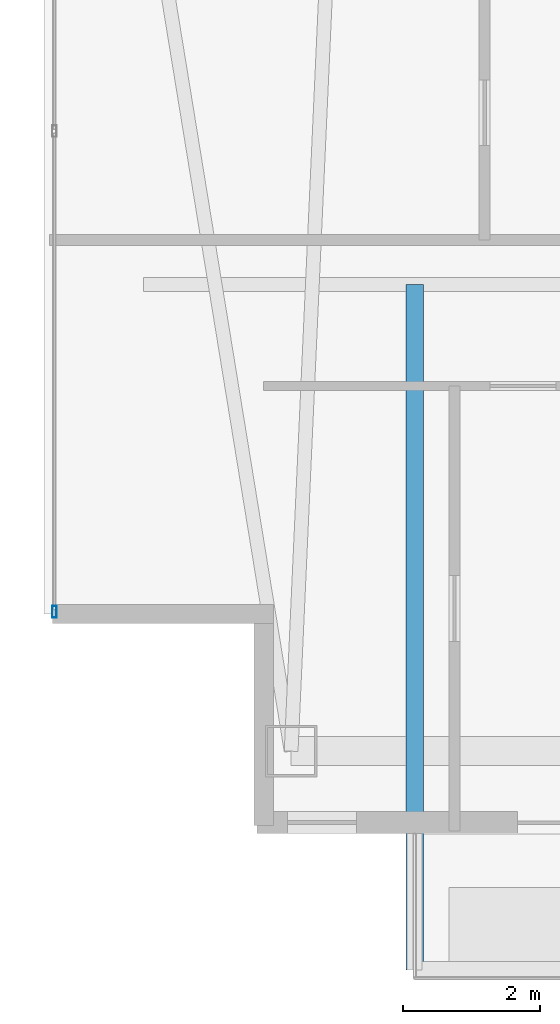
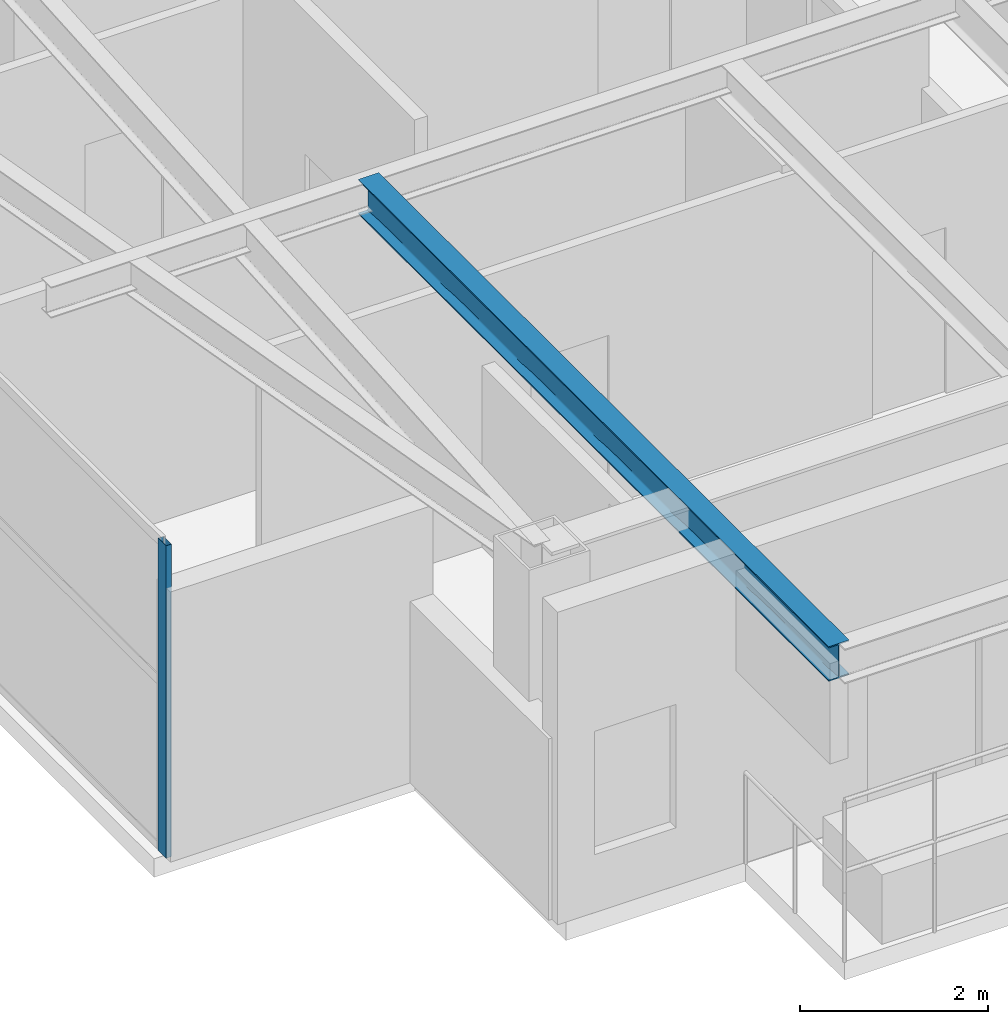
# One storey, part 2 of 29: 1 beam, 1 member, 1 element without a shape of its own.
"""IFC4 building model written with IfcOpenShell, lengths in metres."""

import ifcopenshell
import ifcopenshell.guid

model = None  # the IFC model being written
_history = None  # IfcOwnerHistory: only IFC2X3 demands one
_inside = {}  # id of a spatial element -> (the spatial element, [elements in it])
_under = {}  # id of a project, library or spatial element -> (it, [spatial elements below it])
_declared = {}  # id of a project -> (the project, [libraries it declares])
_typed = {}  # id of a type object -> (the type object, [elements of that type])
_made_of = {}  # id of a material, layer set ... -> (it, [elements and type objects made of it])


def new_model(schema):
    """Start an empty IFC model of exactly this schema.

    Asked for "IFC4X3", IfcOpenShell would pick the latest addendum, in which some entities
    have other attributes; the version numbers below select the first issue.
    IFC2X3 requires an IfcOwnerHistory on every rooted entity: one is made here for all.
    """
    global model, _history
    if schema == "IFC4X3":
        model = ifcopenshell.file(schema_version=(4, 3, 0, 0))
    else:
        model = ifcopenshell.file(schema=schema)
    _inside.clear()
    _under.clear()
    _declared.clear()
    _typed.clear()
    _made_of.clear()
    _history = None
    if model.schema == "IFC2X3":
        org = make("IfcOrganization", Name="unknown")
        user = make(
            "IfcPersonAndOrganization",
            ThePerson=make("IfcPerson", FamilyName="unknown"),
            TheOrganization=org,
        )
        app = make(
            "IfcApplication",
            ApplicationDeveloper=org,
            Version="unknown",
            ApplicationFullName="unknown",
            ApplicationIdentifier="unknown",
        )
        _history = make(
            "IfcOwnerHistory",
            OwningUser=user,
            OwningApplication=app,
            ChangeAction="ADDED",
            CreationDate=0,
        )
    return model


def make(cls, **values):
    """One entity of the class cls with the attributes given. An attribute that is None is left unset."""
    return model.create_entity(
        cls, **{name: value for name, value in values.items() if value is not None}
    )


def rooted(cls, **values):
    """An entity with a GlobalId (a new one), such as an element, a storey or a relation."""
    return make(cls, GlobalId=ifcopenshell.guid.new(), OwnerHistory=_history, **values)


def si_unit(unit_type, name, prefix=None):
    """IfcSIUnit, for example si_unit("LENGTHUNIT", "METRE", prefix="MILLI")."""
    return make("IfcSIUnit", UnitType=unit_type, Prefix=prefix, Name=name)


def assignment(units):
    """IfcUnitAssignment: the units of a project."""
    return None if units is None else make("IfcUnitAssignment", Units=units)


def point(xyz):
    """IfcCartesianPoint."""
    return None if xyz is None else make("IfcCartesianPoint", Coordinates=xyz)


def direction(xyz):
    """IfcDirection."""
    return None if xyz is None else make("IfcDirection", DirectionRatios=xyz)


def frame(location, z_axis=None, x_axis=None):
    """IfcAxis2Placement3D, a coordinate frame: its origin and axes. An axis left out is left unset."""
    return make(
        "IfcAxis2Placement3D",
        Location=point(location),
        Axis=direction(z_axis),
        RefDirection=direction(x_axis),
    )


def frame_2d(location, x_axis=None):
    """IfcAxis2Placement2D, a coordinate frame in the plane: its origin and x axis."""
    return make(
        "IfcAxis2Placement2D", Location=point(location), RefDirection=direction(x_axis)
    )


def origin():
    """The frame at (0, 0, 0) with its axes left unset."""
    return frame((0.0, 0.0, 0.0))


def origin_2d():
    """The frame at (0, 0) in the plane with its x axis left unset."""
    return frame_2d((0.0, 0.0))


def place(relative_to, where):
    """IfcLocalPlacement: puts the frame where relative to a parent placement (None: the world)."""
    return make(
        "IfcLocalPlacement", PlacementRelTo=relative_to, RelativePlacement=where
    )


def context(
    kind, dimensions, precision=None, world=None, true_north=None, identifier=None
):
    """IfcGeometricRepresentationContext, for example the 3D "Model" context."""
    return make(
        "IfcGeometricRepresentationContext",
        ContextIdentifier=identifier,
        ContextType=kind,
        CoordinateSpaceDimension=dimensions,
        Precision=precision,
        WorldCoordinateSystem=world,
        TrueNorth=true_north,
    )


def subcontext(parent, identifier, kind, view, scale=None):
    """IfcGeometricRepresentationSubContext, for example "Body" below "Model"."""
    return make(
        "IfcGeometricRepresentationSubContext",
        ContextIdentifier=identifier,
        ContextType=kind,
        ParentContext=parent,
        TargetScale=scale,
        TargetView=view,
    )


def project(units=None, contexts=None):
    """IfcProject with its units and contexts."""
    return rooted(
        "IfcProject",
        Name="project",
        RepresentationContexts=contexts,
        UnitsInContext=assignment(units),
    )


def spatial(cls, under=None, at=None, **own):
    """A site, building, storey or space (cls), placed at a placement, below another one or the project."""
    s = rooted(cls, ObjectPlacement=at, **own)
    if under is not None:
        _under.setdefault(under.id(), (under, []))[1].append(s)
    return s


def profile(cls, at=None, kind="AREA", **sizes):
    """A parametric profile (cls). Its sizes go by their IFC names, for example OverallWidth=200.0."""
    return make(cls, ProfileType=kind, Position=at, **sizes)


def hollow_rectangle(**sizes):
    """IfcRectangleHollowProfileDef."""
    return profile("IfcRectangleHollowProfileDef", **sizes)


def i_section(**sizes):
    """IfcIShapeProfileDef."""
    return profile("IfcIShapeProfileDef", **sizes)


def extrude(swept, where, along, depth):
    """IfcExtrudedAreaSolid: the profile swept, set in the frame where, extruded along a direction by depth."""
    return make(
        "IfcExtrudedAreaSolid",
        SweptArea=swept,
        Position=where,
        ExtrudedDirection=direction(along),
        Depth=depth,
    )


def shape(context_of_items, identifier, shape_type, items):
    """IfcShapeRepresentation: the items that make up one representation, for example the "Body"."""
    return make(
        "IfcShapeRepresentation",
        ContextOfItems=context_of_items,
        RepresentationIdentifier=identifier,
        RepresentationType=shape_type,
        Items=items,
    )


def material(Name=None, Category=None):
    """IfcMaterial."""
    return make("IfcMaterial", Name=Name, Category=Category)


def layer(
    of_material, thickness, ventilated=None, Name=None, Category=None, Priority=None
):
    """IfcMaterialLayer: one layer of a wall or slab, of a material (None: an air gap)."""
    return make(
        "IfcMaterialLayer",
        Material=of_material,
        LayerThickness=thickness,
        IsVentilated=ventilated,
        Name=Name,
        Category=Category,
        Priority=Priority,
    )


def layer_set(layers, Name=None):
    """IfcMaterialLayerSet."""
    return make("IfcMaterialLayerSet", MaterialLayers=layers, LayerSetName=Name)


def material_profile(
    of_material, cross_section, Name=None, Category=None, Priority=None
):
    """IfcMaterialProfile: a cross section and its material."""
    return make(
        "IfcMaterialProfile",
        Name=Name,
        Material=of_material,
        Profile=cross_section,
        Priority=Priority,
        Category=Category,
    )


def profile_set(profiles, Name=None, composite=None):
    """IfcMaterialProfileSet."""
    return make(
        "IfcMaterialProfileSet",
        Name=Name,
        MaterialProfiles=profiles,
        CompositeProfile=composite,
    )


def made_of(thing, what):
    """Note that an element or type object is made of a material, layer set ...; save() writes the relation."""
    if what is not None:
        _made_of.setdefault(what.id(), (what, []))[1].append(thing)
    return thing


def type_object(cls, material=None, **own):
    """A type object (cls), such as IfcWallType, which elements share."""
    return made_of(rooted(cls, **own), material)


def element(
    cls,
    number,
    at=None,
    inside=None,
    cuts=None,
    type_object=None,
    material=None,
    context=None,
    identifier="Body",
    shape_type=None,
    held_by="IfcProductDefinitionShape",
    body=None,
    shapes=None,
    **own,
):
    """One element of the class cls, such as IfcWall. Its Tag is "e" and its number.

    at: its placement. inside: the storey or other place that contains it. cuts: it is an
    opening in that element (IfcRelVoidsElement). A single representation is given by context,
    identifier, shape_type and body (its items); several are given by shapes. held_by: the class
    of the entity that holds the representations. save() writes the other relations.
    """
    e = rooted(cls, Tag="e%d" % number, ObjectPlacement=at, **own)
    if body is not None:
        shapes = [shape(context, identifier, shape_type, body)]
    if shapes is not None:
        e.Representation = make(held_by, Representations=shapes)
    if inside is not None:
        _inside.setdefault(inside.id(), (inside, []))[1].append(e)
    if cuts is not None:
        rooted(
            "IfcRelVoidsElement", RelatingBuildingElement=cuts, RelatedOpeningElement=e
        )
    if type_object is not None:
        _typed.setdefault(type_object.id(), (type_object, []))[1].append(e)
    return made_of(e, material)


def aggregate(whole, parts):
    """IfcRelAggregates: a whole, such as a stair, and the parts it consists of."""
    return rooted("IfcRelAggregates", RelatingObject=whole, RelatedObjects=parts)


def save(model, path):
    """Write the relations noted so far, then the file.

    IfcRelAggregates (storeys below a building ...), IfcRelContainedInSpatialStructure (elements
    in a storey), IfcRelDefinesByType, IfcRelAssociatesMaterial and IfcRelDeclares: one each for
    every whole, place, type object, material and project.
    """
    for whole, parts in _under.values():
        aggregate(whole, parts)
    for where, things in _inside.values():
        rooted(
            "IfcRelContainedInSpatialStructure",
            RelatedElements=things,
            RelatingStructure=where,
        )
    for kind, things in _typed.values():
        rooted("IfcRelDefinesByType", RelatedObjects=things, RelatingType=kind)
    for what, things in _made_of.values():
        rooted("IfcRelAssociatesMaterial", RelatedObjects=things, RelatingMaterial=what)
    for by, libraries in _declared.values():
        rooted("IfcRelDeclares", RelatingContext=by, RelatedDefinitions=libraries)
    model.write(path)


model = new_model("IFC4")

# Units and contexts
model_context = context("Model", 3, precision=1e-05, world=origin(), true_north=direction((0.0, 1.0)))
body_context = subcontext(model_context, "Body", "Model", "MODEL_VIEW")
ifc_project = project(units=[si_unit("LENGTHUNIT", "METRE"), si_unit("AREAUNIT", "SQUARE_METRE"), si_unit("VOLUMEUNIT", "CUBIC_METRE"), si_unit("PLANEANGLEUNIT", "RADIAN"), si_unit("MASSUNIT", "GRAM", prefix="KILO")], contexts=[model_context])

# Site, building, storey
site_placement = place(None, origin())
site = spatial("IfcSite", under=ifc_project, at=site_placement, CompositionType="ELEMENT")
building_placement = place(site_placement, origin())
building = spatial("IfcBuilding", under=site, at=building_placement, Name="Calvorn Quay Hotel", CompositionType="ELEMENT")
storey_placement = place(building_placement, frame((0.0, 0.0, 259.0)))
storey = spatial("IfcBuildingStorey", under=building, at=storey_placement, Name="L64", CompositionType="ELEMENT", Elevation=259.0)

# Beam
ifc_material_1 = material(Name="Steel Q355B", Category="steel")
ifc_material_profile_1 = material_profile(ifc_material_1, i_section(OverallWidth=0.25, OverallDepth=0.449951171875, WebThickness=0.011962890625, FlangeThickness=0.01611328125, FilletRadius=0.01611328125, at=origin_2d()), Name="HN450x250x12x16")
ifc_profile_set_1 = profile_set([ifc_material_profile_1], Name="Steel Q355B")
beam_type = type_object("IfcBeamType", Name="BM-CANT-BALC", PredefinedType="BEAM", material=ifc_profile_set_1)
beam_placement = place(storey_placement, frame((5.39990234375, 10.39990234375, 3.824951171875), z_axis=(0.0, -1.0, 0.0), x_axis=(1.0, 0.0, 0.0)))
element("IfcBeam", 1, at=beam_placement, inside=storey, type_object=beam_type, Name="Cantilever Balcony Beam BCB-L65-1A", PredefinedType="BEAM", context=body_context, shape_type="SweptSolid", body=[
    extrude(i_section(OverallWidth=0.25, OverallDepth=0.449951171875, WebThickness=0.011962890625, FlangeThickness=0.01611328125, FilletRadius=0.01611328125, at=origin_2d()), origin(), (0.0, 0.0, 1.0), 9.989990234375),
])

# Curtain wall, member
ifc_material_2 = material(Name="Champagne Bronze Anodised Aluminium and Low-E Glass", Category="aluminium")
ifc_layer = layer(ifc_material_2, 0.219970703125)
ifc_layer_set = layer_set([ifc_layer], Name="CW-SYS-Z4")
curtain_wall_type = type_object("IfcCurtainWallType", Name="CW-SYS-Z4", PredefinedType="NOTDEFINED", material=ifc_layer_set)
curtain_wall_placement = place(storey_placement, origin())
curtain_wall = element("IfcCurtainWall", 2, at=curtain_wall_placement, inside=storey, type_object=curtain_wall_type, Name="Tower West Curtain Wall (L64)", PredefinedType="NOTDEFINED")
ifc_material_3 = material(Name="Champagne Bronze Anodised Aluminium 6063-T6", Category="aluminium")
ifc_material_profile_2 = material_profile(ifc_material_3, hollow_rectangle(XDim=0.06494140625, YDim=0.169921875, WallThickness=0.00341796875, at=origin_2d()), Name="ALU-M170x65x3.5")
ifc_profile_set_2 = profile_set([ifc_material_profile_2], Name="Champagne Bronze Anodised Aluminium 6063-T6")
member_type = type_object("IfcMemberType", Name="CW-SYS-Z4-MUL", PredefinedType="MULLION", material=ifc_profile_set_2)
member_placement = place(storey_placement, frame((0.14990234375, 5.6298828125, 0.0), z_axis=(0.0, 0.0, 1.0), x_axis=(-1.0, 0.0, 0.0)))
member = element("IfcMember", 3, at=member_placement, type_object=member_type, Name="CW-L64-W mullion 1", PredefinedType="MULLION", context=body_context, shape_type="SweptSolid", body=[
    extrude(hollow_rectangle(XDim=0.06494140625, YDim=0.169921875, WallThickness=0.00341796875, at=origin_2d()), origin(), (0.0, 0.0, 1.0), 4.050048828125),
])
aggregate(curtain_wall, [member])

save(model, "model.ifc")
